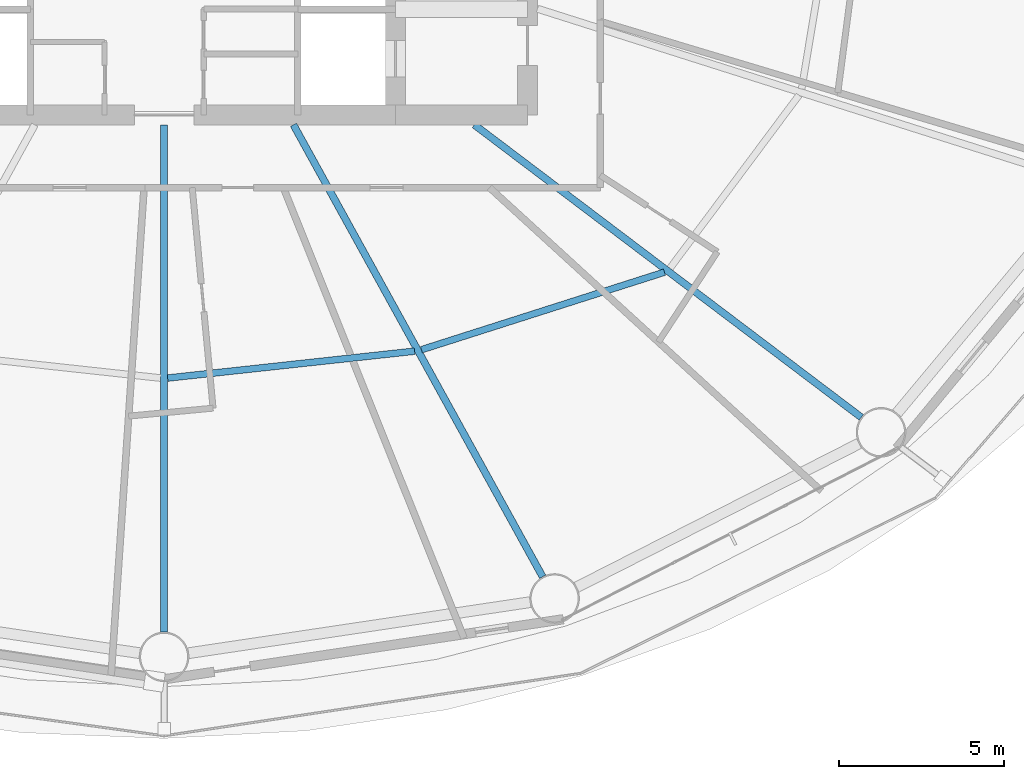
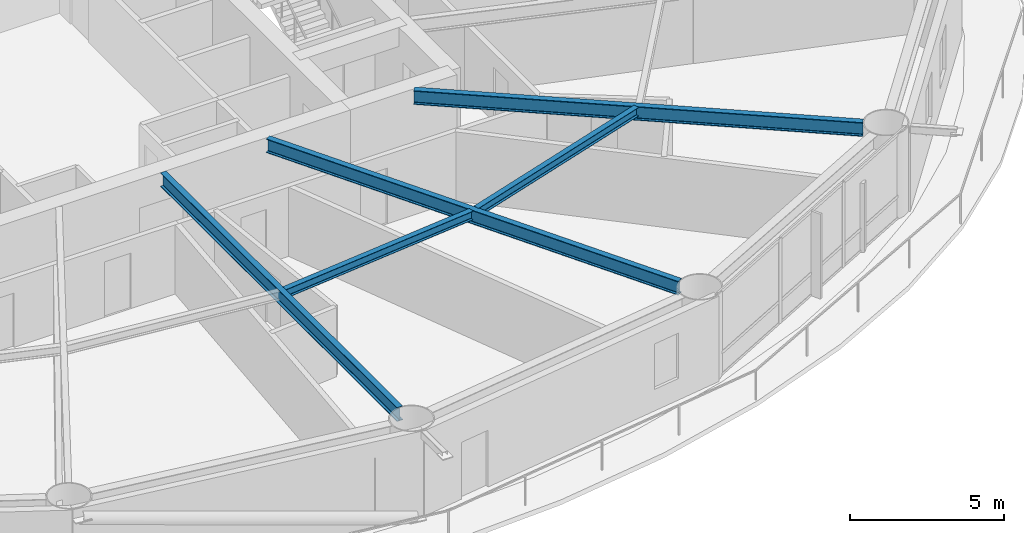
# One storey, part 7 of 26: 5 beams.
"""IFC4 building model written with IfcOpenShell, lengths in metres."""

from ifc_helpers import new_model, si_unit, direction, frame, origin, origin_2d, place, context, subcontext, project, spatial, i_section, extrude, material, material_profile, profile_set, type_object, element, save


model = new_model("IFC4")

# Units and contexts
model_context = context("Model", 3, precision=1e-05, world=origin(), true_north=direction((0.0, 1.0)))
body_context = subcontext(model_context, "Body", "Model", "MODEL_VIEW")
ifc_project = project(units=[si_unit("LENGTHUNIT", "METRE"), si_unit("AREAUNIT", "SQUARE_METRE"), si_unit("VOLUMEUNIT", "CUBIC_METRE"), si_unit("PLANEANGLEUNIT", "RADIAN"), si_unit("MASSUNIT", "GRAM", prefix="KILO")], contexts=[model_context])

# Site, building, storey
site_placement = place(None, origin())
site = spatial("IfcSite", under=ifc_project, at=site_placement, CompositionType="ELEMENT")
building_placement = place(site_placement, origin())
building = spatial("IfcBuilding", under=site, at=building_placement, Name="Sarneth Arch Tower", CompositionType="ELEMENT")
storey_placement = place(building_placement, frame((0.0, 0.0, 64.199951171875)))
storey = spatial("IfcBuildingStorey", under=building, at=storey_placement, Name="L15", CompositionType="ELEMENT", Elevation=64.199951171875)

# Beams
ifc_material_1 = material(Name="Steel S355", Category="steel")
ifc_material_profile_1 = material_profile(ifc_material_1, i_section(OverallWidth=0.202880859375, OverallDepth=0.346923828125, WebThickness=0.0078125, FlangeThickness=0.013427734375, FilletRadius=0.014892578125, at=origin_2d()), Name="W360x64")
ifc_profile_set_1 = profile_set([ifc_material_profile_1], Name="Steel S355")
beam_type_1 = type_object("IfcBeamType", Name="BM-JOIST-360C", PredefinedType="JOIST", material=ifc_profile_set_1)
beam_1_placement = place(storey_placement, frame((48.1064453125, 27.236572265625, 3.20654296875), z_axis=(0.994129966112, 0.108192469602, 0.0), x_axis=(-0.108192469602, 0.994129966112, 0.0)))
element("IfcBeam", 1, at=beam_1_placement, inside=storey, type_object=beam_type_1, Name="L15 Secondary floor joist 13", PredefinedType="JOIST", context=body_context, shape_type="SweptSolid", body=[
    extrude(i_section(OverallWidth=0.202880859375, OverallDepth=0.346923828125, WebThickness=0.0078125, FlangeThickness=0.013427734375, FilletRadius=0.014892578125, at=origin_2d()), origin(), (0.0, 0.0, 1.0), 7.5166015625),
])
beam_2_placement = place(storey_placement, frame((55.787109375, 28.093994140625, 3.20654296875), z_axis=(0.95266836992, 0.304011475036, 0.0), x_axis=(-0.304011475036, 0.95266836992, 0.0)))
element("IfcBeam", 2, at=beam_2_placement, inside=storey, type_object=beam_type_1, Name="L15 Secondary floor joist 14", PredefinedType="JOIST", context=body_context, shape_type="SweptSolid", body=[
    extrude(i_section(OverallWidth=0.202880859375, OverallDepth=0.346923828125, WebThickness=0.0078125, FlangeThickness=0.013427734375, FilletRadius=0.014892578125, at=origin_2d()), origin(), (0.0, 0.0, 1.0), 7.720703125),
])
ifc_material_2 = material(Name="Steel S355", Category="steel")
ifc_material_profile_2 = material_profile(ifc_material_2, i_section(OverallWidth=0.214111328125, OverallDepth=0.549072265625, WebThickness=0.0146484375, FlangeThickness=0.023681640625, FilletRadius=0.01806640625, at=origin_2d()), Name="W530x138")
ifc_profile_set_2 = profile_set([ifc_material_profile_2], Name="Steel S355")
beam_type_2 = type_object("IfcBeamType", Name="BM-RAD-530A", PredefinedType="BEAM", material=ifc_profile_set_2)
beam_3_placement = place(storey_placement, frame((48.0, 34.89990234375, 3.10546875), z_axis=(0.0, -1.0, 0.0), x_axis=(1.0, 0.0, 0.0)))
element("IfcBeam", 3, at=beam_3_placement, inside=storey, type_object=beam_type_2, Name="L15 Radial floor girder 13", PredefinedType="BEAM", context=body_context, shape_type="SweptSolid", body=[
    extrude(i_section(OverallWidth=0.214111328125, OverallDepth=0.549072265625, WebThickness=0.0146484375, FlangeThickness=0.023681640625, FilletRadius=0.01806640625, at=origin_2d()), origin(), (0.0, 0.0, 1.0), 15.349853515625),
])
beam_4_placement = place(storey_placement, frame((51.91455078125, 34.89990234375, 3.10546875), z_axis=(0.482841370957, -0.875707833979, 0.0), x_axis=(0.875707833979, 0.482841370957, 0.0)))
element("IfcBeam", 4, at=beam_4_placement, inside=storey, type_object=beam_type_2, Name="L15 Radial floor girder 14", PredefinedType="BEAM", context=body_context, shape_type="SweptSolid", body=[
    extrude(i_section(OverallWidth=0.214111328125, OverallDepth=0.549072265625, WebThickness=0.0146484375, FlangeThickness=0.023681640625, FilletRadius=0.01806640625, at=origin_2d()), origin(), (0.0, 0.0, 1.0), 15.618408203125),
])
beam_5_placement = place(storey_placement, frame((57.390380859375, 34.89990234375, 3.10546875), z_axis=(0.79765464731, -0.603114469753, 0.0), x_axis=(0.603114469753, 0.79765464731, 0.0)))
element("IfcBeam", 5, at=beam_5_placement, inside=storey, type_object=beam_type_2, Name="L15 Radial floor girder 15", PredefinedType="BEAM", context=body_context, shape_type="SweptSolid", body=[
    extrude(i_section(OverallWidth=0.214111328125, OverallDepth=0.549072265625, WebThickness=0.0146484375, FlangeThickness=0.023681640625, FilletRadius=0.01806640625, at=origin_2d()), origin(), (0.0, 0.0, 1.0), 14.677978515625),
])

save(model, "model.ifc")
